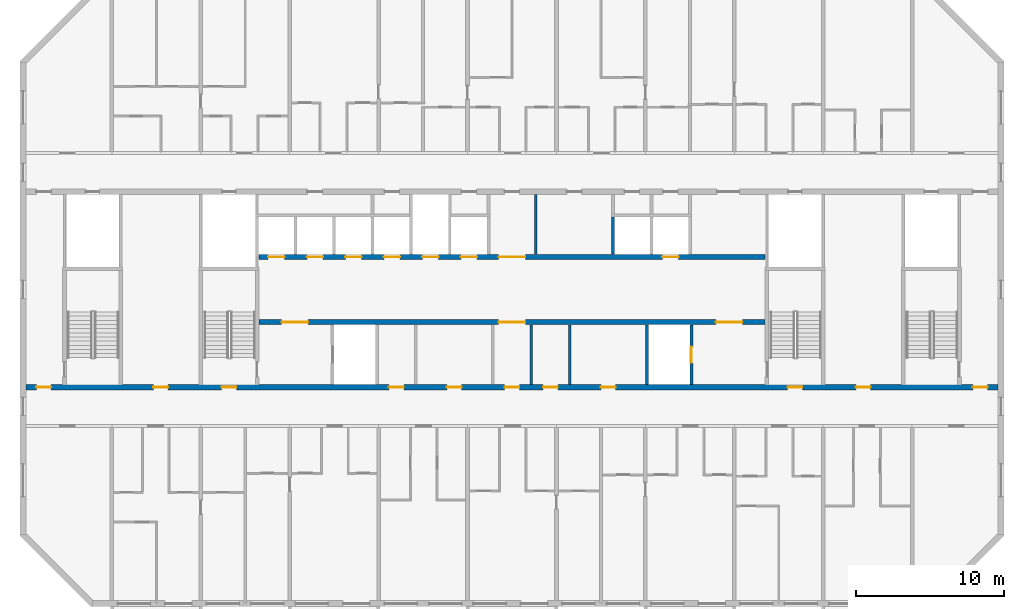
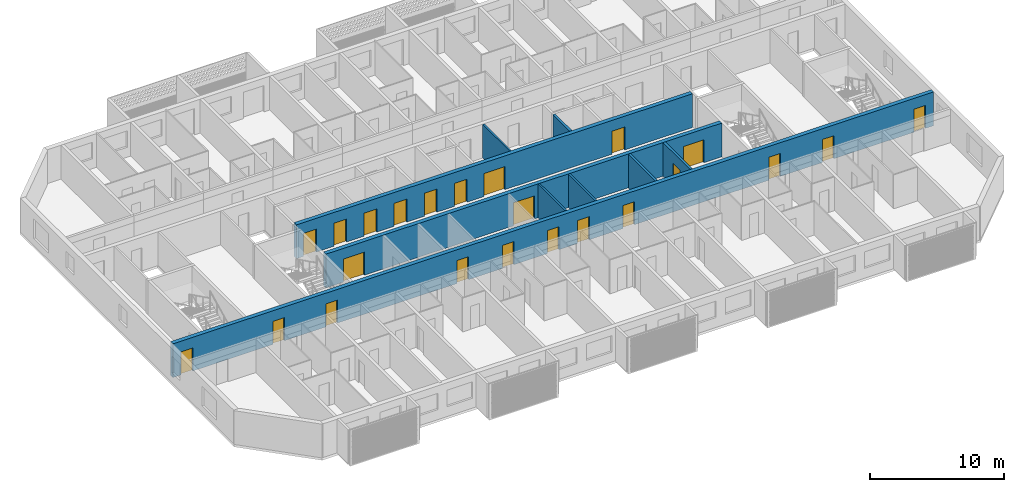
# One storey, part 6 of 27: 23 doors, 9 walls, 23 openings.
"""IFC4 building model written with IfcOpenShell, lengths in metres."""

from ifc_helpers import new_model, si_unit, direction, frame, frame_2d, origin, place, context, subcontext, project, spatial, rectangle, extrude, material, layer, layer_set, type_object, element, fill, save


model = new_model("IFC4")

# Units and contexts
model_context = context("Model", 3, precision=1e-05, world=origin(), true_north=direction((0.0, 1.0)))
body_context = subcontext(model_context, "Body", "Model", "MODEL_VIEW")
ifc_project = project(units=[si_unit("LENGTHUNIT", "METRE"), si_unit("AREAUNIT", "SQUARE_METRE"), si_unit("VOLUMEUNIT", "CUBIC_METRE"), si_unit("PLANEANGLEUNIT", "RADIAN"), si_unit("MASSUNIT", "GRAM", prefix="KILO")], contexts=[model_context])

# Site, building, storey
site_placement = place(None, origin())
site = spatial("IfcSite", under=ifc_project, at=site_placement, CompositionType="ELEMENT")
building_placement = place(site_placement, origin())
building = spatial("IfcBuilding", under=site, at=building_placement, Name="Poui Terraces", CompositionType="ELEMENT")
storey_placement = place(building_placement, frame((0.0, 0.0, 251.10009765625)))
storey = spatial("IfcBuildingStorey", under=building, at=storey_placement, Name="L70", CompositionType="ELEMENT", Elevation=251.10009765625)

# Wall, openings, doors
ifc_material_1 = material(Name="Concrete 50 MPa", Category="concrete")
ifc_layer_1 = layer(ifc_material_1, 0.35009765625)
ifc_layer_set_1 = layer_set([ifc_layer_1], Name="Concrete 50 MPa")
wall_type_1 = type_object("IfcWallType", Name="CORE WALL 350 50 MPA", PredefinedType="SOLIDWALL", material=ifc_layer_set_1)
wall_1_placement = place(storey_placement, frame((33.925048828125, 19.0, 0.0), z_axis=(0.0, 0.0, 1.0), x_axis=(1.0, 0.0, 0.0)))
wall_1 = element("IfcWall", 1, at=wall_1_placement, inside=storey, type_object=wall_type_1, Name="CORE WALL", PredefinedType="SOLIDWALL", context=body_context, shape_type="SweptSolid", body=[
    extrude(rectangle(XDim=34.14990234375, YDim=0.35009765625, at=frame_2d((17.074951171875, 0.0))), origin(), (0.0, 0.0, 1.0), 3.079833984375),
])
opening_1_placement = place(wall_1_placement, frame((16.175048828125, 0.0, 0.0)))
opening_1 = element("IfcOpeningElement", 2, at=opening_1_placement, cuts=wall_1, Name="Opening FDD60", PredefinedType="OPENING", context=body_context, shape_type="SweptSolid", body=[
    extrude(rectangle(XDim=1.800048828125, YDim=2.10009765625, at=frame_2d((0.89990234375, 1.050048828125))), frame((0.0, 0.18505859375, 0.0), z_axis=(0.0, -1.0, 0.0), x_axis=(1.0, 0.0, 0.0)), (0.0, 0.0, 1.0), 0.3701171875),
])
opening_2_placement = place(wall_1_placement, frame((1.52490234375, 0.0, 0.0)))
opening_2 = element("IfcOpeningElement", 3, at=opening_2_placement, cuts=wall_1, Name="Opening FDD60", PredefinedType="OPENING", context=body_context, shape_type="SweptSolid", body=[
    extrude(rectangle(XDim=1.800048828125, YDim=2.10009765625, at=frame_2d((0.89990234375, 1.050048828125))), frame((0.0, 0.18505859375, 0.0), z_axis=(0.0, -1.0, 0.0), x_axis=(1.0, 0.0, 0.0)), (0.0, 0.0, 1.0), 0.3701171875),
])
opening_3_placement = place(wall_1_placement, frame((30.824951171875, 0.0, 0.0)))
opening_3 = element("IfcOpeningElement", 4, at=opening_3_placement, cuts=wall_1, Name="Opening FDD60", PredefinedType="OPENING", context=body_context, shape_type="SweptSolid", body=[
    extrude(rectangle(XDim=1.800048828125, YDim=2.10009765625, at=frame_2d((0.89990234375, 1.050048828125))), frame((0.0, 0.18505859375, 0.0), z_axis=(0.0, -1.0, 0.0), x_axis=(1.0, 0.0, 0.0)), (0.0, 0.0, 1.0), 0.3701171875),
])
ifc_material_2 = material(Name="Steel fire door", Category="steel")
door_type_1 = type_object("IfcDoorType", Name="DOUBLE LOBBY FIRE DOOR 1800 X 2100", OperationType="DOUBLE_DOOR_SINGLE_SWING", PredefinedType="DOOR", material=ifc_material_2)
door_1_placement = place(opening_1_placement, frame((1.800048828125, 0.0, 0.0), z_axis=(0.0, 0.0, 1.0), x_axis=(-1.0, 0.0, 0.0)))
door_1 = element("IfcDoor", 5, at=door_1_placement, inside=storey, type_object=door_type_1, Name="DOUBLE LOBBY FIRE DOOR 099", OperationType="DOUBLE_DOOR_SINGLE_SWING", OverallHeight=2.10009765625, OverallWidth=1.800048828125, PredefinedType="DOOR", context=body_context, shape_type="SweptSolid", body=[
    extrude(rectangle(XDim=1.800048828125, YDim=2.10009765625, at=frame_2d((0.89990234375, 1.050048828125))), frame((0.0, 0.02490234375, 0.0), z_axis=(0.0, -1.0, 0.0), x_axis=(1.0, 0.0, 0.0)), (0.0, 0.0, 1.0), 0.050048828125),
])
fill(opening_1, door_1)
door_2_placement = place(opening_2_placement, origin())
door_2 = element("IfcDoor", 6, at=door_2_placement, inside=storey, type_object=door_type_1, Name="DOUBLE LOBBY FIRE DOOR 101", OperationType="DOUBLE_DOOR_SINGLE_SWING", OverallHeight=2.10009765625, OverallWidth=1.800048828125, PredefinedType="DOOR", context=body_context, shape_type="SweptSolid", body=[
    extrude(rectangle(XDim=1.800048828125, YDim=2.10009765625, at=frame_2d((0.89990234375, 1.050048828125))), frame((0.0, 0.02490234375, 0.0), z_axis=(0.0, -1.0, 0.0), x_axis=(1.0, 0.0, 0.0)), (0.0, 0.0, 1.0), 0.050048828125),
])
fill(opening_2, door_2)
door_3_placement = place(opening_3_placement, origin())
door_3 = element("IfcDoor", 7, at=door_3_placement, inside=storey, type_object=door_type_1, Name="DOUBLE LOBBY FIRE DOOR 108", OperationType="DOUBLE_DOOR_SINGLE_SWING", OverallHeight=2.10009765625, OverallWidth=1.800048828125, PredefinedType="DOOR", context=body_context, shape_type="SweptSolid", body=[
    extrude(rectangle(XDim=1.800048828125, YDim=2.10009765625, at=frame_2d((0.89990234375, 1.050048828125))), frame((0.0, 0.02490234375, 0.0), z_axis=(0.0, -1.0, 0.0), x_axis=(1.0, 0.0, 0.0)), (0.0, 0.0, 1.0), 0.050048828125),
])
fill(opening_3, door_3)

wall_2_placement = place(storey_placement, frame((33.925048828125, 23.39990234375, 0.0), z_axis=(0.0, 0.0, 1.0), x_axis=(1.0, 0.0, 0.0)))
wall_2 = element("IfcWall", 8, at=wall_2_placement, inside=storey, type_object=wall_type_1, Name="CORE WALL", PredefinedType="SOLIDWALL", context=body_context, shape_type="SweptSolid", body=[
    extrude(rectangle(XDim=34.14990234375, YDim=0.35009765625, at=frame_2d((17.074951171875, 0.0))), origin(), (0.0, 0.0, 1.0), 3.079833984375),
])
opening_4_placement = place(wall_2_placement, frame((16.175048828125, 0.0, 0.0)))
opening_4 = element("IfcOpeningElement", 9, at=opening_4_placement, cuts=wall_2, Name="Opening FDD60", PredefinedType="OPENING", context=body_context, shape_type="SweptSolid", body=[
    extrude(rectangle(XDim=1.800048828125, YDim=2.10009765625, at=frame_2d((0.89990234375, 1.050048828125))), frame((0.0, 0.18505859375, 0.0), z_axis=(0.0, -1.0, 0.0), x_axis=(1.0, 0.0, 0.0)), (0.0, 0.0, 1.0), 0.3701171875),
])
opening_5_placement = place(wall_2_placement, frame((0.625, 0.0, 0.0)))
opening_5 = element("IfcOpeningElement", 10, at=opening_5_placement, cuts=wall_2, Name="Opening LD", PredefinedType="OPENING", context=body_context, shape_type="SweptSolid", body=[
    extrude(rectangle(XDim=1.10009765625, YDim=2.10009765625, at=frame_2d((0.550048828125, 1.050048828125))), frame((0.0, 0.18505859375, 0.0), z_axis=(0.0, -1.0, 0.0), x_axis=(1.0, 0.0, 0.0)), (0.0, 0.0, 1.0), 0.3701171875),
])
opening_6_placement = place(wall_2_placement, frame((3.22509765625, 0.0, 0.0)))
opening_6 = element("IfcOpeningElement", 11, at=opening_6_placement, cuts=wall_2, Name="Opening LD", PredefinedType="OPENING", context=body_context, shape_type="SweptSolid", body=[
    extrude(rectangle(XDim=1.10009765625, YDim=2.10009765625, at=frame_2d((0.550048828125, 1.050048828125))), frame((0.0, 0.18505859375, 0.0), z_axis=(0.0, -1.0, 0.0), x_axis=(1.0, 0.0, 0.0)), (0.0, 0.0, 1.0), 0.3701171875),
])
opening_7_placement = place(wall_2_placement, frame((5.824951171875, 0.0, 0.0)))
opening_7 = element("IfcOpeningElement", 12, at=opening_7_placement, cuts=wall_2, Name="Opening LD", PredefinedType="OPENING", context=body_context, shape_type="SweptSolid", body=[
    extrude(rectangle(XDim=1.10009765625, YDim=2.10009765625, at=frame_2d((0.550048828125, 1.050048828125))), frame((0.0, 0.18505859375, 0.0), z_axis=(0.0, -1.0, 0.0), x_axis=(1.0, 0.0, 0.0)), (0.0, 0.0, 1.0), 0.3701171875),
])
opening_8_placement = place(wall_2_placement, frame((8.425048828125, 0.0, 0.0)))
opening_8 = element("IfcOpeningElement", 13, at=opening_8_placement, cuts=wall_2, Name="Opening LD", PredefinedType="OPENING", context=body_context, shape_type="SweptSolid", body=[
    extrude(rectangle(XDim=1.10009765625, YDim=2.10009765625, at=frame_2d((0.550048828125, 1.050048828125))), frame((0.0, 0.18505859375, 0.0), z_axis=(0.0, -1.0, 0.0), x_axis=(1.0, 0.0, 0.0)), (0.0, 0.0, 1.0), 0.3701171875),
])
opening_9_placement = place(wall_2_placement, frame((11.02490234375, 0.0, 0.0)))
opening_9 = element("IfcOpeningElement", 14, at=opening_9_placement, cuts=wall_2, Name="Opening LD", PredefinedType="OPENING", context=body_context, shape_type="SweptSolid", body=[
    extrude(rectangle(XDim=1.10009765625, YDim=2.10009765625, at=frame_2d((0.550048828125, 1.050048828125))), frame((0.0, 0.18505859375, 0.0), z_axis=(0.0, -1.0, 0.0), x_axis=(1.0, 0.0, 0.0)), (0.0, 0.0, 1.0), 0.3701171875),
])
opening_10_placement = place(wall_2_placement, frame((13.625, 0.0, 0.0)))
opening_10 = element("IfcOpeningElement", 15, at=opening_10_placement, cuts=wall_2, Name="Opening LD", PredefinedType="OPENING", context=body_context, shape_type="SweptSolid", body=[
    extrude(rectangle(XDim=1.10009765625, YDim=2.10009765625, at=frame_2d((0.550048828125, 1.050048828125))), frame((0.0, 0.18505859375, 0.0), z_axis=(0.0, -1.0, 0.0), x_axis=(1.0, 0.0, 0.0)), (0.0, 0.0, 1.0), 0.3701171875),
])
opening_11_placement = place(wall_2_placement, frame((27.22509765625, 0.0, 0.0)))
opening_11 = element("IfcOpeningElement", 16, at=opening_11_placement, cuts=wall_2, Name="Opening LD", PredefinedType="OPENING", context=body_context, shape_type="SweptSolid", body=[
    extrude(rectangle(XDim=1.10009765625, YDim=2.10009765625, at=frame_2d((0.550048828125, 1.050048828125))), frame((0.0, 0.18505859375, 0.0), z_axis=(0.0, -1.0, 0.0), x_axis=(1.0, 0.0, 0.0)), (0.0, 0.0, 1.0), 0.3701171875),
])
door_4_placement = place(opening_4_placement, origin())
door_4 = element("IfcDoor", 17, at=door_4_placement, inside=storey, type_object=door_type_1, Name="DOUBLE LOBBY FIRE DOOR 098", OperationType="DOUBLE_DOOR_SINGLE_SWING", OverallHeight=2.10009765625, OverallWidth=1.800048828125, PredefinedType="DOOR", context=body_context, shape_type="SweptSolid", body=[
    extrude(rectangle(XDim=1.800048828125, YDim=2.10009765625, at=frame_2d((0.89990234375, 1.050048828125))), frame((0.0, 0.02490234375, 0.0), z_axis=(0.0, -1.0, 0.0), x_axis=(1.0, 0.0, 0.0)), (0.0, 0.0, 1.0), 0.050048828125),
])
fill(opening_4, door_4)
ifc_material_3 = material(Name="Stainless steel sliding door", Category="steel")
door_type_2 = type_object("IfcDoorType", Name="LIFT LANDING DOOR 1100 X 2100", OperationType="DOUBLE_DOOR_SLIDING", PredefinedType="DOOR", material=ifc_material_3)
door_5_placement = place(opening_5_placement, origin())
door_5 = element("IfcDoor", 18, at=door_5_placement, inside=storey, type_object=door_type_2, Name="LANDING DOOR", OperationType="DOUBLE_DOOR_SLIDING", OverallHeight=2.10009765625, OverallWidth=1.10009765625, PredefinedType="DOOR", context=body_context, shape_type="SweptSolid", body=[
    extrude(rectangle(XDim=1.10009765625, YDim=2.10009765625, at=frame_2d((0.550048828125, 1.050048828125))), frame((0.0, 0.02490234375, 0.0), z_axis=(0.0, -1.0, 0.0), x_axis=(1.0, 0.0, 0.0)), (0.0, 0.0, 1.0), 0.050048828125),
])
fill(opening_5, door_5)
door_6_placement = place(opening_6_placement, origin())
door_6 = element("IfcDoor", 19, at=door_6_placement, inside=storey, type_object=door_type_2, Name="LANDING DOOR", OperationType="DOUBLE_DOOR_SLIDING", OverallHeight=2.10009765625, OverallWidth=1.10009765625, PredefinedType="DOOR", context=body_context, shape_type="SweptSolid", body=[
    extrude(rectangle(XDim=1.10009765625, YDim=2.10009765625, at=frame_2d((0.550048828125, 1.050048828125))), frame((0.0, 0.02490234375, 0.0), z_axis=(0.0, -1.0, 0.0), x_axis=(1.0, 0.0, 0.0)), (0.0, 0.0, 1.0), 0.050048828125),
])
fill(opening_6, door_6)
door_7_placement = place(opening_7_placement, origin())
door_7 = element("IfcDoor", 20, at=door_7_placement, inside=storey, type_object=door_type_2, Name="LANDING DOOR", OperationType="DOUBLE_DOOR_SLIDING", OverallHeight=2.10009765625, OverallWidth=1.10009765625, PredefinedType="DOOR", context=body_context, shape_type="SweptSolid", body=[
    extrude(rectangle(XDim=1.10009765625, YDim=2.10009765625, at=frame_2d((0.550048828125, 1.050048828125))), frame((0.0, 0.02490234375, 0.0), z_axis=(0.0, -1.0, 0.0), x_axis=(1.0, 0.0, 0.0)), (0.0, 0.0, 1.0), 0.050048828125),
])
fill(opening_7, door_7)
door_8_placement = place(opening_8_placement, origin())
door_8 = element("IfcDoor", 21, at=door_8_placement, inside=storey, type_object=door_type_2, Name="LANDING DOOR", OperationType="DOUBLE_DOOR_SLIDING", OverallHeight=2.10009765625, OverallWidth=1.10009765625, PredefinedType="DOOR", context=body_context, shape_type="SweptSolid", body=[
    extrude(rectangle(XDim=1.10009765625, YDim=2.10009765625, at=frame_2d((0.550048828125, 1.050048828125))), frame((0.0, 0.02490234375, 0.0), z_axis=(0.0, -1.0, 0.0), x_axis=(1.0, 0.0, 0.0)), (0.0, 0.0, 1.0), 0.050048828125),
])
fill(opening_8, door_8)
door_9_placement = place(opening_9_placement, origin())
door_9 = element("IfcDoor", 22, at=door_9_placement, inside=storey, type_object=door_type_2, Name="LANDING DOOR", OperationType="DOUBLE_DOOR_SLIDING", OverallHeight=2.10009765625, OverallWidth=1.10009765625, PredefinedType="DOOR", context=body_context, shape_type="SweptSolid", body=[
    extrude(rectangle(XDim=1.10009765625, YDim=2.10009765625, at=frame_2d((0.550048828125, 1.050048828125))), frame((0.0, 0.02490234375, 0.0), z_axis=(0.0, -1.0, 0.0), x_axis=(1.0, 0.0, 0.0)), (0.0, 0.0, 1.0), 0.050048828125),
])
fill(opening_9, door_9)
door_10_placement = place(opening_10_placement, origin())
door_10 = element("IfcDoor", 23, at=door_10_placement, inside=storey, type_object=door_type_2, Name="LANDING DOOR", OperationType="DOUBLE_DOOR_SLIDING", OverallHeight=2.10009765625, OverallWidth=1.10009765625, PredefinedType="DOOR", context=body_context, shape_type="SweptSolid", body=[
    extrude(rectangle(XDim=1.10009765625, YDim=2.10009765625, at=frame_2d((0.550048828125, 1.050048828125))), frame((0.0, 0.02490234375, 0.0), z_axis=(0.0, -1.0, 0.0), x_axis=(1.0, 0.0, 0.0)), (0.0, 0.0, 1.0), 0.050048828125),
])
fill(opening_10, door_10)
door_11_placement = place(opening_11_placement, origin())
door_11 = element("IfcDoor", 24, at=door_11_placement, inside=storey, type_object=door_type_2, Name="LANDING DOOR", OperationType="DOUBLE_DOOR_SLIDING", OverallHeight=2.10009765625, OverallWidth=1.10009765625, PredefinedType="DOOR", context=body_context, shape_type="SweptSolid", body=[
    extrude(rectangle(XDim=1.10009765625, YDim=2.10009765625, at=frame_2d((0.550048828125, 1.050048828125))), frame((0.0, 0.02490234375, 0.0), z_axis=(0.0, -1.0, 0.0), x_axis=(1.0, 0.0, 0.0)), (0.0, 0.0, 1.0), 0.050048828125),
])
fill(opening_11, door_11)

# Walls
ifc_material_4 = material(Name="Fire-rated plasterboard wall")
ifc_layer_2 = layer(ifc_material_4, 0.14990234375)
ifc_layer_set_2 = layer_set([ifc_layer_2], Name="Fire-rated plasterboard wall")
wall_type_2 = type_object("IfcWallType", Name="CORRIDOR WALL 150", PredefinedType="PARTITIONING", material=ifc_layer_set_2)
for number, where, z_axis, x_axis, name in (
    (25, (52.300048828125, 14.784912109375, 0.0), (0.0, 0.0, 1.0), (0.0, 1.0, 0.0), "CORRIDOR WALL 150"),
    (26, (52.60009765625, 23.5849609375, 0.0), (0.0, 0.0, 1.0), (0.0, 1.0, 0.0), "CORRIDOR WALL 150"),
):
    element("IfcWall", number, at=place(storey_placement, frame(where, z_axis=z_axis, x_axis=x_axis)), inside=storey, type_object=wall_type_2, Name=name, PredefinedType="PARTITIONING", context=body_context, shape_type="SweptSolid", body=[
        extrude(rectangle(XDim=4.030029296875, YDim=0.14990234375, at=frame_2d((2.01513671875, 0.0))), origin(), (0.0, 0.0, 1.0), 3.079833984375),
    ])
ifc_material_5 = material(Name="Plasterboard partition")
ifc_layer_3 = layer(ifc_material_5, 0.14990234375)
ifc_layer_set_3 = layer_set([ifc_layer_3], Name="Plasterboard partition")
wall_type_3 = type_object("IfcWallType", Name="PARTITION WALL 150", PredefinedType="PARTITIONING", material=ifc_layer_set_3)
wall_3_placement = place(storey_placement, frame((54.89990234375, 14.784912109375, 0.0), z_axis=(0.0, 0.0, 1.0), x_axis=(0.0, 1.0, 0.0)))
element("IfcWall", 27, at=wall_3_placement, inside=storey, type_object=wall_type_3, Name="PARTITION WALL 150", PredefinedType="PARTITIONING", context=body_context, shape_type="SweptSolid", body=[
    extrude(rectangle(XDim=4.030029296875, YDim=0.14990234375, at=frame_2d((2.01513671875, 0.0))), origin(), (0.0, 0.0, 1.0), 3.079833984375),
])
ifc_material_6 = material(Name="Fire-rated masonry shaft wall", Category="masonry")
ifc_layer_4 = layer(ifc_material_6, 0.199951171875)
ifc_layer_set_4 = layer_set([ifc_layer_4], Name="Fire-rated masonry shaft wall")
wall_type_4 = type_object("IfcWallType", Name="SHAFT WALL 200", PredefinedType="PARTITIONING", material=ifc_layer_set_4)
wall_4_placement = place(storey_placement, frame((57.800048828125, 23.5849609375, 0.0), z_axis=(0.0, 0.0, 1.0), x_axis=(0.0, 1.0, 0.0)))
element("IfcWall", 28, at=wall_4_placement, inside=storey, type_object=wall_type_4, Name="SHAFT WALL 200", PredefinedType="PARTITIONING", context=body_context, shape_type="SweptSolid", body=[
    extrude(rectangle(XDim=2.51513671875, YDim=0.199951171875, at=frame_2d((1.257568359375, 0.0))), origin(), (0.0, 0.0, 1.0), 3.079833984375),
])
wall_5_placement = place(storey_placement, frame((60.10009765625, 14.784912109375, 0.0), z_axis=(0.0, 0.0, 1.0), x_axis=(0.0, 1.0, 0.0)))
element("IfcWall", 29, at=wall_5_placement, inside=storey, type_object=wall_type_4, Name="SHAFT WALL 200", PredefinedType="PARTITIONING", context=body_context, shape_type="SweptSolid", body=[
    extrude(rectangle(XDim=4.030029296875, YDim=0.199951171875, at=frame_2d((2.01513671875, 0.0))), origin(), (0.0, 0.0, 1.0), 3.079833984375),
])

# Wall, opening, door
wall_6_placement = place(storey_placement, frame((63.10009765625, 14.784912109375, 0.0), z_axis=(0.0, 0.0, 1.0), x_axis=(0.0, 1.0, 0.0)))
wall_6 = element("IfcWall", 30, at=wall_6_placement, inside=storey, type_object=wall_type_4, Name="SHAFT WALL 200", PredefinedType="PARTITIONING", context=body_context, shape_type="SweptSolid", body=[
    extrude(rectangle(XDim=4.030029296875, YDim=0.199951171875, at=frame_2d((2.01513671875, 0.0))), origin(), (0.0, 0.0, 1.0), 3.079833984375),
])
opening_12_placement = place(wall_6_placement, frame((1.465087890625, 0.0, 0.0)))
opening_12 = element("IfcOpeningElement", 31, at=opening_12_placement, cuts=wall_6, Name="Opening LD", PredefinedType="OPENING", context=body_context, shape_type="SweptSolid", body=[
    extrude(rectangle(XDim=1.10009765625, YDim=2.10009765625, at=frame_2d((0.550048828125, 1.050048828125))), frame((0.0, 0.10986328125, 0.0), z_axis=(0.0, -1.0, 0.0), x_axis=(1.0, 0.0, 0.0)), (0.0, 0.0, 1.0), 0.219970703125),
])
door_12_placement = place(opening_12_placement, origin())
door_12 = element("IfcDoor", 32, at=door_12_placement, inside=storey, type_object=door_type_2, Name="LANDING DOOR", OperationType="DOUBLE_DOOR_SLIDING", OverallHeight=2.10009765625, OverallWidth=1.10009765625, PredefinedType="DOOR", context=body_context, shape_type="SweptSolid", body=[
    extrude(rectangle(XDim=1.10009765625, YDim=2.10009765625, at=frame_2d((0.550048828125, 1.050048828125))), frame((0.0, 0.02490234375, 0.0), z_axis=(0.0, -1.0, 0.0), x_axis=(1.0, 0.0, 0.0)), (0.0, 0.0, 1.0), 0.050048828125),
])
fill(opening_12, door_12)

# Wall, openings, doors
ifc_layer_5 = layer(ifc_material_1, 0.35009765625)
ifc_layer_set_5 = layer_set([ifc_layer_5], Name="Concrete 50 MPa")
wall_type_5 = type_object("IfcWallType", Name="SPINE WALL 350 50 MPA", PredefinedType="SOLIDWALL", material=ifc_layer_set_5)
wall_7_placement = place(storey_placement, frame((18.199951171875, 14.60009765625, 0.0), z_axis=(0.0, 0.0, 1.0), x_axis=(1.0, 0.0, 0.0)))
wall_7 = element("IfcWall", 33, at=wall_7_placement, inside=storey, type_object=wall_type_5, Name="SPINE WALL", PredefinedType="SOLIDWALL", context=body_context, shape_type="SweptSolid", body=[
    extrude(rectangle(XDim=65.60009765625, YDim=0.35009765625, at=frame_2d((32.800048828125, 0.0))), origin(), (0.0, 0.0, 1.0), 3.079833984375),
])
opening_13_placement = place(wall_7_placement, frame((0.699951171875, 0.0, 0.0)))
opening_13 = element("IfcOpeningElement", 34, at=opening_13_placement, cuts=wall_7, Name="Opening FDL", PredefinedType="OPENING", context=body_context, shape_type="SweptSolid", body=[
    extrude(rectangle(XDim=1.0, YDim=2.10009765625, at=frame_2d((0.5, 1.050048828125))), frame((0.0, 0.18505859375, 0.0), z_axis=(0.0, -1.0, 0.0), x_axis=(1.0, 0.0, 0.0)), (0.0, 0.0, 1.0), 0.3701171875),
])
opening_14_placement = place(wall_7_placement, frame((8.60009765625, 0.0, 0.0)))
opening_14 = element("IfcOpeningElement", 35, at=opening_14_placement, cuts=wall_7, Name="Opening D100", PredefinedType="OPENING", context=body_context, shape_type="SweptSolid", body=[
    extrude(rectangle(XDim=1.0, YDim=2.10009765625, at=frame_2d((0.5, 1.050048828125))), frame((0.0, 0.18505859375, 0.0), z_axis=(0.0, -1.0, 0.0), x_axis=(1.0, 0.0, 0.0)), (0.0, 0.0, 1.0), 0.3701171875),
])
opening_15_placement = place(wall_7_placement, frame((13.199951171875, 0.0, 0.0)))
opening_15 = element("IfcOpeningElement", 36, at=opening_15_placement, cuts=wall_7, Name="Opening FD60S", PredefinedType="OPENING", context=body_context, shape_type="SweptSolid", body=[
    extrude(rectangle(XDim=1.0, YDim=2.10009765625, at=frame_2d((0.5, 1.050048828125))), frame((0.0, 0.18505859375, 0.0), z_axis=(0.0, -1.0, 0.0), x_axis=(1.0, 0.0, 0.0)), (0.0, 0.0, 1.0), 0.3701171875),
])
opening_16_placement = place(wall_7_placement, frame((24.5, 0.0, 0.0)))
opening_16 = element("IfcOpeningElement", 37, at=opening_16_placement, cuts=wall_7, Name="Opening FD60", PredefinedType="OPENING", context=body_context, shape_type="SweptSolid", body=[
    extrude(rectangle(XDim=1.0, YDim=2.10009765625, at=frame_2d((0.5, 1.050048828125))), frame((0.0, 0.18505859375, 0.0), z_axis=(0.0, -1.0, 0.0), x_axis=(1.0, 0.0, 0.0)), (0.0, 0.0, 1.0), 0.3701171875),
])
opening_17_placement = place(wall_7_placement, frame((28.39990234375, 0.0, 0.0)))
opening_17 = element("IfcOpeningElement", 38, at=opening_17_placement, cuts=wall_7, Name="Opening FD60", PredefinedType="OPENING", context=body_context, shape_type="SweptSolid", body=[
    extrude(rectangle(XDim=1.0, YDim=2.10009765625, at=frame_2d((0.5, 1.050048828125))), frame((0.0, 0.18505859375, 0.0), z_axis=(0.0, -1.0, 0.0), x_axis=(1.0, 0.0, 0.0)), (0.0, 0.0, 1.0), 0.3701171875),
])
opening_18_placement = place(wall_7_placement, frame((32.300048828125, 0.0, 0.0)))
opening_18 = element("IfcOpeningElement", 39, at=opening_18_placement, cuts=wall_7, Name="Opening FDL", PredefinedType="OPENING", context=body_context, shape_type="SweptSolid", body=[
    extrude(rectangle(XDim=1.0, YDim=2.10009765625, at=frame_2d((0.5, 1.050048828125))), frame((0.0, 0.18505859375, 0.0), z_axis=(0.0, -1.0, 0.0), x_axis=(1.0, 0.0, 0.0)), (0.0, 0.0, 1.0), 0.3701171875),
])
opening_19_placement = place(wall_7_placement, frame((34.89990234375, 0.0, 0.0)))
opening_19 = element("IfcOpeningElement", 40, at=opening_19_placement, cuts=wall_7, Name="Opening FD60", PredefinedType="OPENING", context=body_context, shape_type="SweptSolid", body=[
    extrude(rectangle(XDim=1.0, YDim=2.10009765625, at=frame_2d((0.5, 1.050048828125))), frame((0.0, 0.18505859375, 0.0), z_axis=(0.0, -1.0, 0.0), x_axis=(1.0, 0.0, 0.0)), (0.0, 0.0, 1.0), 0.3701171875),
])
opening_20_placement = place(wall_7_placement, frame((38.800048828125, 0.0, 0.0)))
opening_20 = element("IfcOpeningElement", 41, at=opening_20_placement, cuts=wall_7, Name="Opening FD60", PredefinedType="OPENING", context=body_context, shape_type="SweptSolid", body=[
    extrude(rectangle(XDim=1.0, YDim=2.10009765625, at=frame_2d((0.5, 1.050048828125))), frame((0.0, 0.18505859375, 0.0), z_axis=(0.0, -1.0, 0.0), x_axis=(1.0, 0.0, 0.0)), (0.0, 0.0, 1.0), 0.3701171875),
])
opening_21_placement = place(wall_7_placement, frame((51.39990234375, 0.0, 0.0)))
opening_21 = element("IfcOpeningElement", 42, at=opening_21_placement, cuts=wall_7, Name="Opening FD60S", PredefinedType="OPENING", context=body_context, shape_type="SweptSolid", body=[
    extrude(rectangle(XDim=1.0, YDim=2.10009765625, at=frame_2d((0.5, 1.050048828125))), frame((0.0, 0.18505859375, 0.0), z_axis=(0.0, -1.0, 0.0), x_axis=(1.0, 0.0, 0.0)), (0.0, 0.0, 1.0), 0.3701171875),
])
opening_22_placement = place(wall_7_placement, frame((56.0, 0.0, 0.0)))
opening_22 = element("IfcOpeningElement", 43, at=opening_22_placement, cuts=wall_7, Name="Opening D100", PredefinedType="OPENING", context=body_context, shape_type="SweptSolid", body=[
    extrude(rectangle(XDim=1.0, YDim=2.10009765625, at=frame_2d((0.5, 1.050048828125))), frame((0.0, 0.18505859375, 0.0), z_axis=(0.0, -1.0, 0.0), x_axis=(1.0, 0.0, 0.0)), (0.0, 0.0, 1.0), 0.3701171875),
])
opening_23_placement = place(wall_7_placement, frame((63.89990234375, 0.0, 0.0)))
opening_23 = element("IfcOpeningElement", 44, at=opening_23_placement, cuts=wall_7, Name="Opening FDL", PredefinedType="OPENING", context=body_context, shape_type="SweptSolid", body=[
    extrude(rectangle(XDim=1.0, YDim=2.10009765625, at=frame_2d((0.5, 1.050048828125))), frame((0.0, 0.18505859375, 0.0), z_axis=(0.0, -1.0, 0.0), x_axis=(1.0, 0.0, 0.0)), (0.0, 0.0, 1.0), 0.3701171875),
])
ifc_material_7 = material(Name="Solid core timber door", Category="wood")
door_type_3 = type_object("IfcDoorType", Name="ACCESSIBLE INTERNAL DOOR 1000 X 2100", OperationType="NOTDEFINED", PredefinedType="DOOR", material=ifc_material_7)
door_13_placement = place(opening_14_placement, frame((1.0, 0.0, 0.0), z_axis=(0.0, 0.0, 1.0), x_axis=(-1.0, 0.0, 0.0)))
door_13 = element("IfcDoor", 45, at=door_13_placement, inside=storey, type_object=door_type_3, Name="ACCESSIBLE INTERNAL DOOR 016", OperationType="SINGLE_SWING_RIGHT", OverallHeight=2.10009765625, OverallWidth=1.0, PredefinedType="DOOR", context=body_context, shape_type="SweptSolid", body=[
    extrude(rectangle(XDim=1.0, YDim=2.10009765625, at=frame_2d((0.5, 1.050048828125))), frame((0.0, 0.02490234375, 0.0), z_axis=(0.0, -1.0, 0.0), x_axis=(1.0, 0.0, 0.0)), (0.0, 0.0, 1.0), 0.050048828125),
])
fill(opening_14, door_13)
door_14_placement = place(opening_22_placement, frame((1.0, 0.0, 0.0), z_axis=(0.0, 0.0, 1.0), x_axis=(-1.0, 0.0, 0.0)))
door_14 = element("IfcDoor", 46, at=door_14_placement, inside=storey, type_object=door_type_3, Name="ACCESSIBLE INTERNAL DOOR 024", OperationType="SINGLE_SWING_LEFT", OverallHeight=2.10009765625, OverallWidth=1.0, PredefinedType="DOOR", context=body_context, shape_type="SweptSolid", body=[
    extrude(rectangle(XDim=1.0, YDim=2.10009765625, at=frame_2d((0.5, 1.050048828125))), frame((0.0, 0.02490234375, 0.0), z_axis=(0.0, -1.0, 0.0), x_axis=(1.0, 0.0, 0.0)), (0.0, 0.0, 1.0), 0.050048828125),
])
fill(opening_22, door_14)
door_type_4 = type_object("IfcDoorType", Name="LOBBY FIRE DOOR 1000 X 2100", OperationType="NOTDEFINED", PredefinedType="DOOR", material=ifc_material_2)
door_15_placement = place(opening_13_placement, frame((1.0, 0.0, 0.0), z_axis=(0.0, 0.0, 1.0), x_axis=(-1.0, 0.0, 0.0)))
door_15 = element("IfcDoor", 47, at=door_15_placement, inside=storey, type_object=door_type_4, Name="LOBBY FIRE DOOR 015", OperationType="SINGLE_SWING_RIGHT", OverallHeight=2.10009765625, OverallWidth=1.0, PredefinedType="DOOR", context=body_context, shape_type="SweptSolid", body=[
    extrude(rectangle(XDim=1.0, YDim=2.10009765625, at=frame_2d((0.5, 1.050048828125))), frame((0.0, 0.02490234375, 0.0), z_axis=(0.0, -1.0, 0.0), x_axis=(1.0, 0.0, 0.0)), (0.0, 0.0, 1.0), 0.050048828125),
])
fill(opening_13, door_15)
door_16_placement = place(opening_18_placement, frame((1.0, 0.0, 0.0), z_axis=(0.0, 0.0, 1.0), x_axis=(-1.0, 0.0, 0.0)))
door_16 = element("IfcDoor", 48, at=door_16_placement, inside=storey, type_object=door_type_4, Name="LOBBY FIRE DOOR 020", OperationType="SINGLE_SWING_LEFT", OverallHeight=2.10009765625, OverallWidth=1.0, PredefinedType="DOOR", context=body_context, shape_type="SweptSolid", body=[
    extrude(rectangle(XDim=1.0, YDim=2.10009765625, at=frame_2d((0.5, 1.050048828125))), frame((0.0, 0.02490234375, 0.0), z_axis=(0.0, -1.0, 0.0), x_axis=(1.0, 0.0, 0.0)), (0.0, 0.0, 1.0), 0.050048828125),
])
fill(opening_18, door_16)
door_17_placement = place(opening_23_placement, frame((1.0, 0.0, 0.0), z_axis=(0.0, 0.0, 1.0), x_axis=(-1.0, 0.0, 0.0)))
door_17 = element("IfcDoor", 49, at=door_17_placement, inside=storey, type_object=door_type_4, Name="LOBBY FIRE DOOR 025", OperationType="SINGLE_SWING_LEFT", OverallHeight=2.10009765625, OverallWidth=1.0, PredefinedType="DOOR", context=body_context, shape_type="SweptSolid", body=[
    extrude(rectangle(XDim=1.0, YDim=2.10009765625, at=frame_2d((0.5, 1.050048828125))), frame((0.0, 0.02490234375, 0.0), z_axis=(0.0, -1.0, 0.0), x_axis=(1.0, 0.0, 0.0)), (0.0, 0.0, 1.0), 0.050048828125),
])
fill(opening_23, door_17)
door_type_5 = type_object("IfcDoorType", Name="SERVICE ROOM FIRE DOOR 1000 X 2100", OperationType="NOTDEFINED", PredefinedType="DOOR", material=ifc_material_2)
door_18_placement = place(opening_16_placement, frame((1.0, 0.0, 0.0), z_axis=(0.0, 0.0, 1.0), x_axis=(-1.0, 0.0, 0.0)))
door_18 = element("IfcDoor", 50, at=door_18_placement, inside=storey, type_object=door_type_5, Name="SERVICE ROOM FIRE DOOR 018", OperationType="SINGLE_SWING_LEFT", OverallHeight=2.10009765625, OverallWidth=1.0, PredefinedType="DOOR", context=body_context, shape_type="SweptSolid", body=[
    extrude(rectangle(XDim=1.0, YDim=2.10009765625, at=frame_2d((0.5, 1.050048828125))), frame((0.0, 0.02490234375, 0.0), z_axis=(0.0, -1.0, 0.0), x_axis=(1.0, 0.0, 0.0)), (0.0, 0.0, 1.0), 0.050048828125),
])
fill(opening_16, door_18)
door_19_placement = place(opening_17_placement, frame((1.0, 0.0, 0.0), z_axis=(0.0, 0.0, 1.0), x_axis=(-1.0, 0.0, 0.0)))
door_19 = element("IfcDoor", 51, at=door_19_placement, inside=storey, type_object=door_type_5, Name="SERVICE ROOM FIRE DOOR 019", OperationType="SINGLE_SWING_RIGHT", OverallHeight=2.10009765625, OverallWidth=1.0, PredefinedType="DOOR", context=body_context, shape_type="SweptSolid", body=[
    extrude(rectangle(XDim=1.0, YDim=2.10009765625, at=frame_2d((0.5, 1.050048828125))), frame((0.0, 0.02490234375, 0.0), z_axis=(0.0, -1.0, 0.0), x_axis=(1.0, 0.0, 0.0)), (0.0, 0.0, 1.0), 0.050048828125),
])
fill(opening_17, door_19)
door_20_placement = place(opening_19_placement, frame((1.0, 0.0, 0.0), z_axis=(0.0, 0.0, 1.0), x_axis=(-1.0, 0.0, 0.0)))
door_20 = element("IfcDoor", 52, at=door_20_placement, inside=storey, type_object=door_type_5, Name="SERVICE ROOM FIRE DOOR 021", OperationType="SINGLE_SWING_LEFT", OverallHeight=2.10009765625, OverallWidth=1.0, PredefinedType="DOOR", context=body_context, shape_type="SweptSolid", body=[
    extrude(rectangle(XDim=1.0, YDim=2.10009765625, at=frame_2d((0.5, 1.050048828125))), frame((0.0, 0.02490234375, 0.0), z_axis=(0.0, -1.0, 0.0), x_axis=(1.0, 0.0, 0.0)), (0.0, 0.0, 1.0), 0.050048828125),
])
fill(opening_19, door_20)
door_21_placement = place(opening_20_placement, frame((1.0, 0.0, 0.0), z_axis=(0.0, 0.0, 1.0), x_axis=(-1.0, 0.0, 0.0)))
door_21 = element("IfcDoor", 53, at=door_21_placement, inside=storey, type_object=door_type_5, Name="SERVICE ROOM FIRE DOOR 022", OperationType="SINGLE_SWING_RIGHT", OverallHeight=2.10009765625, OverallWidth=1.0, PredefinedType="DOOR", context=body_context, shape_type="SweptSolid", body=[
    extrude(rectangle(XDim=1.0, YDim=2.10009765625, at=frame_2d((0.5, 1.050048828125))), frame((0.0, 0.02490234375, 0.0), z_axis=(0.0, -1.0, 0.0), x_axis=(1.0, 0.0, 0.0)), (0.0, 0.0, 1.0), 0.050048828125),
])
fill(opening_20, door_21)
door_type_6 = type_object("IfcDoorType", Name="STAIR DOOR 1000 X 2100", OperationType="NOTDEFINED", PredefinedType="DOOR", material=ifc_material_2)
door_22_placement = place(opening_15_placement, origin())
door_22 = element("IfcDoor", 54, at=door_22_placement, inside=storey, type_object=door_type_6, Name="STAIR DOOR 017", OperationType="SINGLE_SWING_RIGHT", OverallHeight=2.10009765625, OverallWidth=1.0, PredefinedType="DOOR", context=body_context, shape_type="SweptSolid", body=[
    extrude(rectangle(XDim=1.0, YDim=2.10009765625, at=frame_2d((0.5, 1.050048828125))), frame((0.0, 0.02490234375, 0.0), z_axis=(0.0, -1.0, 0.0), x_axis=(1.0, 0.0, 0.0)), (0.0, 0.0, 1.0), 0.050048828125),
])
fill(opening_15, door_22)
door_23_placement = place(opening_21_placement, origin())
door_23 = element("IfcDoor", 55, at=door_23_placement, inside=storey, type_object=door_type_6, Name="STAIR DOOR 023", OperationType="SINGLE_SWING_RIGHT", OverallHeight=2.10009765625, OverallWidth=1.0, PredefinedType="DOOR", context=body_context, shape_type="SweptSolid", body=[
    extrude(rectangle(XDim=1.0, YDim=2.10009765625, at=frame_2d((0.5, 1.050048828125))), frame((0.0, 0.02490234375, 0.0), z_axis=(0.0, -1.0, 0.0), x_axis=(1.0, 0.0, 0.0)), (0.0, 0.0, 1.0), 0.050048828125),
])
fill(opening_21, door_23)

save(model, "model.ifc")
